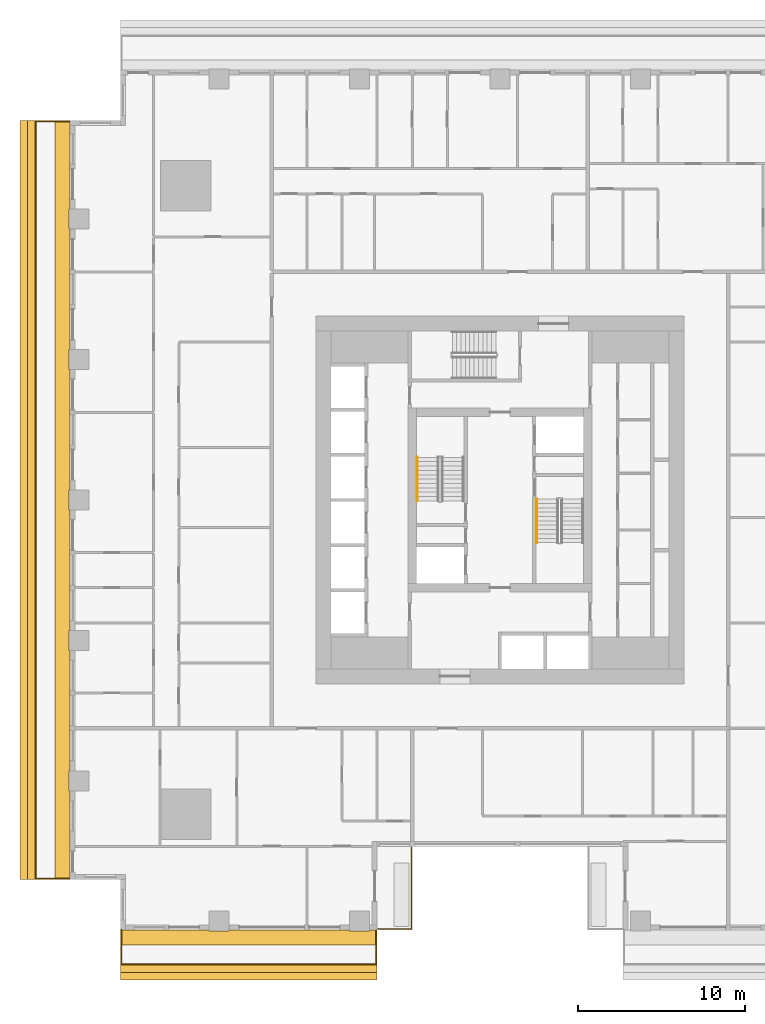
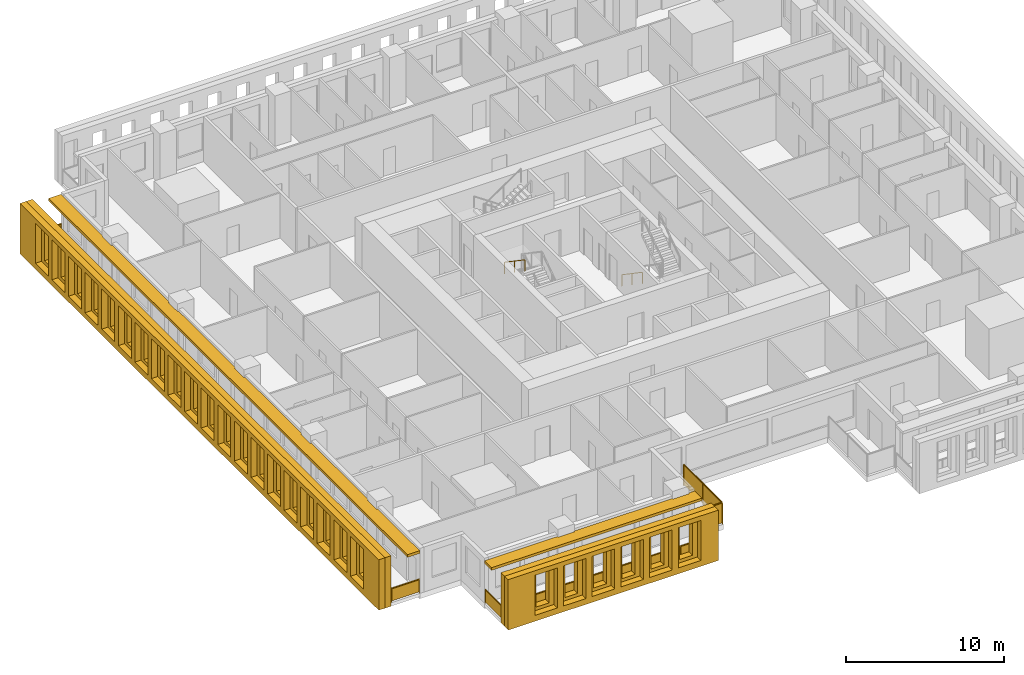
# One storey, part 11 of 15: 6 shading devices, 5 railings.
"""IFC4 building model written with IfcOpenShell, lengths in metres."""

from ifc_helpers import new_model, si_unit, direction, frame, origin, origin_2d, place, context, subcontext, project, spatial, polyline, rectangle, outline, extrude, material, layer, layer_set, type_object, element, save


model = new_model("IFC4")

# Units and contexts
model_context = context("Model", 3, precision=1e-05, world=origin(), true_north=direction((0.0, 1.0)))
body_context = subcontext(model_context, "Body", "Model", "MODEL_VIEW")
ifc_project = project(units=[si_unit("LENGTHUNIT", "METRE"), si_unit("AREAUNIT", "SQUARE_METRE"), si_unit("VOLUMEUNIT", "CUBIC_METRE"), si_unit("PLANEANGLEUNIT", "RADIAN"), si_unit("MASSUNIT", "GRAM", prefix="KILO")], contexts=[model_context])

# Site, building, storey
site_placement = place(None, origin())
site = spatial("IfcSite", under=ifc_project, at=site_placement, CompositionType="ELEMENT")
building_placement = place(site_placement, origin())
building = spatial("IfcBuilding", under=site, at=building_placement, Name="Khepri Terraces", CompositionType="ELEMENT")
storey_placement = place(building_placement, frame((0.0, 0.0, 42.60009765625)))
storey = spatial("IfcBuildingStorey", under=building, at=storey_placement, Name="L09", CompositionType="ELEMENT", Elevation=42.60009765625)

# Railings
ifc_material_1 = material(Name="Stainless steel grade 316", Category="steel")
railing_type_1 = type_object("IfcRailingType", Name="GRD-BAL-1100", PredefinedType="GUARDRAIL", material=ifc_material_1)
railing_1_placement = place(storey_placement, frame((-22.669921875, -25.719970703125, 0.0)))
element("IfcRailing", 1, at=railing_1_placement, inside=storey, type_object=railing_type_1, Name="Balcony guard L09 S", PredefinedType="GUARDRAIL", context=body_context, shape_type="SweptSolid", body=[
    extrude(rectangle(XDim=0.050048828125, YDim=0.06005859375, at=origin_2d()), frame((0.0, 0.0, 1.070068359375), z_axis=(0.0, -1.0, 0.0), x_axis=(1.0, 0.0, 0.0)), (0.0, 0.0, 1.0), 2.050048828125),
    extrude(rectangle(XDim=2.0, YDim=0.011962890625, at=origin_2d()), frame((0.0, -1.02490234375, 0.10009765625), z_axis=(0.0, 0.0, 1.0), x_axis=(0.0, -1.0, 0.0)), (0.0, 0.0, 1.0), 0.93994140625),
    extrude(rectangle(XDim=0.050048828125, YDim=0.06005859375, at=origin_2d()), frame((0.0, -2.050048828125, 1.070068359375), z_axis=(1.0, 0.0, 0.0), x_axis=(0.0, 1.0, 0.0)), (0.0, 0.0, 1.0), 15.27001953125),
    extrude(rectangle(XDim=2.13134765625, YDim=0.011962890625, at=origin_2d()), frame((1.0908203125, -2.050048828125, 0.10009765625), z_axis=(0.0, 0.0, 1.0), x_axis=(1.0, 0.0, 0.0)), (0.0, 0.0, 1.0), 0.93994140625),
    extrude(rectangle(XDim=2.13134765625, YDim=0.011962890625, at=origin_2d()), frame((3.272216796875, -2.050048828125, 0.10009765625), z_axis=(0.0, 0.0, 1.0), x_axis=(1.0, 0.0, 0.0)), (0.0, 0.0, 1.0), 0.93994140625),
    extrude(rectangle(XDim=2.13134765625, YDim=0.011962890625, at=origin_2d()), frame((5.45361328125, -2.050048828125, 0.10009765625), z_axis=(0.0, 0.0, 1.0), x_axis=(1.0, 0.0, 0.0)), (0.0, 0.0, 1.0), 0.93994140625),
    extrude(rectangle(XDim=2.13134765625, YDim=0.011962890625, at=origin_2d()), frame((7.635009765625, -2.050048828125, 0.10009765625), z_axis=(0.0, 0.0, 1.0), x_axis=(1.0, 0.0, 0.0)), (0.0, 0.0, 1.0), 0.93994140625),
    extrude(rectangle(XDim=2.13134765625, YDim=0.011962890625, at=origin_2d()), frame((9.81640625, -2.050048828125, 0.10009765625), z_axis=(0.0, 0.0, 1.0), x_axis=(1.0, 0.0, 0.0)), (0.0, 0.0, 1.0), 0.93994140625),
    extrude(rectangle(XDim=2.13134765625, YDim=0.011962890625, at=origin_2d()), frame((11.997802734375, -2.050048828125, 0.10009765625), z_axis=(0.0, 0.0, 1.0), x_axis=(1.0, 0.0, 0.0)), (0.0, 0.0, 1.0), 0.93994140625),
    extrude(rectangle(XDim=2.13134765625, YDim=0.011962890625, at=origin_2d()), frame((14.17919921875, -2.050048828125, 0.10009765625), z_axis=(0.0, 0.0, 1.0), x_axis=(1.0, 0.0, 0.0)), (0.0, 0.0, 1.0), 0.93994140625),
    extrude(rectangle(XDim=0.050048828125, YDim=0.06005859375, at=origin_2d()), frame((15.27001953125, -2.050048828125, 1.070068359375), z_axis=(0.0, 1.0, 0.0), x_axis=(-1.0, 0.0, 0.0)), (0.0, 0.0, 1.0), 2.050048828125),
    extrude(rectangle(XDim=2.0, YDim=0.011962890625, at=origin_2d()), frame((15.27001953125, -1.02490234375, 0.10009765625), z_axis=(0.0, 0.0, 1.0), x_axis=(0.0, 1.0, 0.0)), (0.0, 0.0, 1.0), 0.93994140625),
    extrude(rectangle(XDim=0.050048828125, YDim=0.050048828125, at=origin_2d()), origin(), (0.0, 0.0, 1.0), 1.0400390625),
    extrude(rectangle(XDim=0.050048828125, YDim=0.050048828125, at=origin_2d()), frame((0.0, -2.050048828125, 0.0)), (0.0, 0.0, 1.0), 1.0400390625),
    extrude(rectangle(XDim=0.050048828125, YDim=0.050048828125, at=origin_2d()), frame((2.181396484375, -2.050048828125, 0.0)), (0.0, 0.0, 1.0), 1.0400390625),
    extrude(rectangle(XDim=0.050048828125, YDim=0.050048828125, at=origin_2d()), frame((4.36279296875, -2.050048828125, 0.0)), (0.0, 0.0, 1.0), 1.0400390625),
    extrude(rectangle(XDim=0.050048828125, YDim=0.050048828125, at=origin_2d()), frame((6.544189453125, -2.050048828125, 0.0)), (0.0, 0.0, 1.0), 1.0400390625),
    extrude(rectangle(XDim=0.050048828125, YDim=0.050048828125, at=origin_2d()), frame((8.725830078125, -2.050048828125, 0.0)), (0.0, 0.0, 1.0), 1.0400390625),
    extrude(rectangle(XDim=0.050048828125, YDim=0.050048828125, at=origin_2d()), frame((10.9072265625, -2.050048828125, 0.0)), (0.0, 0.0, 1.0), 1.0400390625),
    extrude(rectangle(XDim=0.050048828125, YDim=0.050048828125, at=origin_2d()), frame((13.088623046875, -2.050048828125, 0.0)), (0.0, 0.0, 1.0), 1.0400390625),
    extrude(rectangle(XDim=0.050048828125, YDim=0.050048828125, at=origin_2d()), frame((15.27001953125, -2.050048828125, 0.0)), (0.0, 0.0, 1.0), 1.0400390625),
    extrude(rectangle(XDim=0.050048828125, YDim=0.050048828125, at=origin_2d()), frame((15.27001953125, 0.0, 0.0)), (0.0, 0.0, 1.0), 1.0400390625),
])
railing_2_placement = place(storey_placement, frame((-25.719970703125, 22.669921875, 0.0)))
element("IfcRailing", 2, at=railing_2_placement, inside=storey, type_object=railing_type_1, Name="Balcony guard L09 W", PredefinedType="GUARDRAIL", context=body_context, shape_type="SweptSolid", body=[
    extrude(rectangle(XDim=0.050048828125, YDim=0.06005859375, at=origin_2d()), frame((0.0, 0.0, 1.070068359375), z_axis=(-1.0, 0.0, 0.0), x_axis=(0.0, -1.0, 0.0)), (0.0, 0.0, 1.0), 2.050048828125),
    extrude(rectangle(XDim=2.0, YDim=0.011962890625, at=origin_2d()), frame((-1.02490234375, 0.0, 0.10009765625), z_axis=(0.0, 0.0, 1.0), x_axis=(-1.0, 0.0, 0.0)), (0.0, 0.0, 1.0), 0.93994140625),
    extrude(rectangle(XDim=0.050048828125, YDim=0.06005859375, at=origin_2d()), frame((-2.050048828125, 0.0, 1.070068359375), z_axis=(0.0, -1.0, 0.0), x_axis=(1.0, 0.0, 0.0)), (0.0, 0.0, 1.0), 45.33984375),
    extrude(rectangle(XDim=2.336181640625, YDim=0.011962890625, at=origin_2d()), frame((-2.050048828125, -1.193115234375, 0.10009765625), z_axis=(0.0, 0.0, 1.0), x_axis=(0.0, -1.0, 0.0)), (0.0, 0.0, 1.0), 0.93994140625),
    extrude(rectangle(XDim=2.336181640625, YDim=0.011962890625, at=origin_2d()), frame((-2.050048828125, -3.579345703125, 0.10009765625), z_axis=(0.0, 0.0, 1.0), x_axis=(0.0, -1.0, 0.0)), (0.0, 0.0, 1.0), 0.93994140625),
    extrude(rectangle(XDim=2.336181640625, YDim=0.011962890625, at=origin_2d()), frame((-2.050048828125, -5.9658203125, 0.10009765625), z_axis=(0.0, 0.0, 1.0), x_axis=(0.0, -1.0, 0.0)), (0.0, 0.0, 1.0), 0.93994140625),
    extrude(rectangle(XDim=2.336181640625, YDim=0.011962890625, at=origin_2d()), frame((-2.050048828125, -8.35205078125, 0.10009765625), z_axis=(0.0, 0.0, 1.0), x_axis=(0.0, -1.0, 0.0)), (0.0, 0.0, 1.0), 0.93994140625),
    extrude(rectangle(XDim=2.336181640625, YDim=0.011962890625, at=origin_2d()), frame((-2.050048828125, -10.73828125, 0.10009765625), z_axis=(0.0, 0.0, 1.0), x_axis=(0.0, -1.0, 0.0)), (0.0, 0.0, 1.0), 0.93994140625),
    extrude(rectangle(XDim=2.336181640625, YDim=0.011962890625, at=origin_2d()), frame((-2.050048828125, -13.124755859375, 0.10009765625), z_axis=(0.0, 0.0, 1.0), x_axis=(0.0, -1.0, 0.0)), (0.0, 0.0, 1.0), 0.93994140625),
    extrude(rectangle(XDim=2.336181640625, YDim=0.011962890625, at=origin_2d()), frame((-2.050048828125, -15.510986328125, 0.10009765625), z_axis=(0.0, 0.0, 1.0), x_axis=(0.0, -1.0, 0.0)), (0.0, 0.0, 1.0), 0.93994140625),
    extrude(rectangle(XDim=2.336181640625, YDim=0.011962890625, at=origin_2d()), frame((-2.050048828125, -17.897216796875, 0.10009765625), z_axis=(0.0, 0.0, 1.0), x_axis=(0.0, -1.0, 0.0)), (0.0, 0.0, 1.0), 0.93994140625),
    extrude(rectangle(XDim=2.336181640625, YDim=0.011962890625, at=origin_2d()), frame((-2.050048828125, -20.28369140625, 0.10009765625), z_axis=(0.0, 0.0, 1.0), x_axis=(0.0, -1.0, 0.0)), (0.0, 0.0, 1.0), 0.93994140625),
    extrude(rectangle(XDim=2.336181640625, YDim=0.011962890625, at=origin_2d()), frame((-2.050048828125, -22.669921875, 0.10009765625), z_axis=(0.0, 0.0, 1.0), x_axis=(0.0, -1.0, 0.0)), (0.0, 0.0, 1.0), 0.93994140625),
    extrude(rectangle(XDim=2.336181640625, YDim=0.011962890625, at=origin_2d()), frame((-2.050048828125, -25.05615234375, 0.10009765625), z_axis=(0.0, 0.0, 1.0), x_axis=(0.0, -1.0, 0.0)), (0.0, 0.0, 1.0), 0.93994140625),
    extrude(rectangle(XDim=2.336181640625, YDim=0.011962890625, at=origin_2d()), frame((-2.050048828125, -27.442626953125, 0.10009765625), z_axis=(0.0, 0.0, 1.0), x_axis=(0.0, -1.0, 0.0)), (0.0, 0.0, 1.0), 0.93994140625),
    extrude(rectangle(XDim=2.336181640625, YDim=0.011962890625, at=origin_2d()), frame((-2.050048828125, -29.828857421875, 0.10009765625), z_axis=(0.0, 0.0, 1.0), x_axis=(0.0, -1.0, 0.0)), (0.0, 0.0, 1.0), 0.93994140625),
    extrude(rectangle(XDim=2.336181640625, YDim=0.011962890625, at=origin_2d()), frame((-2.050048828125, -32.215087890625, 0.10009765625), z_axis=(0.0, 0.0, 1.0), x_axis=(0.0, -1.0, 0.0)), (0.0, 0.0, 1.0), 0.93994140625),
    extrude(rectangle(XDim=2.336181640625, YDim=0.011962890625, at=origin_2d()), frame((-2.050048828125, -34.6015625, 0.10009765625), z_axis=(0.0, 0.0, 1.0), x_axis=(0.0, -1.0, 0.0)), (0.0, 0.0, 1.0), 0.93994140625),
    extrude(rectangle(XDim=2.336181640625, YDim=0.011962890625, at=origin_2d()), frame((-2.050048828125, -36.98779296875, 0.10009765625), z_axis=(0.0, 0.0, 1.0), x_axis=(0.0, -1.0, 0.0)), (0.0, 0.0, 1.0), 0.93994140625),
    extrude(rectangle(XDim=2.336181640625, YDim=0.011962890625, at=origin_2d()), frame((-2.050048828125, -39.3740234375, 0.10009765625), z_axis=(0.0, 0.0, 1.0), x_axis=(0.0, -1.0, 0.0)), (0.0, 0.0, 1.0), 0.93994140625),
    extrude(rectangle(XDim=2.336181640625, YDim=0.011962890625, at=origin_2d()), frame((-2.050048828125, -41.760498046875, 0.10009765625), z_axis=(0.0, 0.0, 1.0), x_axis=(0.0, -1.0, 0.0)), (0.0, 0.0, 1.0), 0.93994140625),
    extrude(rectangle(XDim=2.336181640625, YDim=0.011962890625, at=origin_2d()), frame((-2.050048828125, -44.146728515625, 0.10009765625), z_axis=(0.0, 0.0, 1.0), x_axis=(0.0, -1.0, 0.0)), (0.0, 0.0, 1.0), 0.93994140625),
    extrude(rectangle(XDim=0.050048828125, YDim=0.06005859375, at=origin_2d()), frame((-2.050048828125, -45.33984375, 1.070068359375), z_axis=(1.0, 0.0, 0.0), x_axis=(0.0, 1.0, 0.0)), (0.0, 0.0, 1.0), 2.050048828125),
    extrude(rectangle(XDim=2.0, YDim=0.011962890625, at=origin_2d()), frame((-1.02490234375, -45.33984375, 0.10009765625), z_axis=(0.0, 0.0, 1.0), x_axis=(1.0, 0.0, 0.0)), (0.0, 0.0, 1.0), 0.93994140625),
    extrude(rectangle(XDim=0.050048828125, YDim=0.050048828125, at=origin_2d()), origin(), (0.0, 0.0, 1.0), 1.0400390625),
    extrude(rectangle(XDim=0.050048828125, YDim=0.050048828125, at=origin_2d()), frame((-2.050048828125, 0.0, 0.0)), (0.0, 0.0, 1.0), 1.0400390625),
    extrude(rectangle(XDim=0.050048828125, YDim=0.050048828125, at=origin_2d()), frame((-2.050048828125, -2.38623046875, 0.0)), (0.0, 0.0, 1.0), 1.0400390625),
    extrude(rectangle(XDim=0.050048828125, YDim=0.050048828125, at=origin_2d()), frame((-2.050048828125, -4.772705078125, 0.0)), (0.0, 0.0, 1.0), 1.0400390625),
    extrude(rectangle(XDim=0.050048828125, YDim=0.050048828125, at=origin_2d()), frame((-2.050048828125, -7.158935546875, 0.0)), (0.0, 0.0, 1.0), 1.0400390625),
    extrude(rectangle(XDim=0.050048828125, YDim=0.050048828125, at=origin_2d()), frame((-2.050048828125, -9.545166015625, 0.0)), (0.0, 0.0, 1.0), 1.0400390625),
    extrude(rectangle(XDim=0.050048828125, YDim=0.050048828125, at=origin_2d()), frame((-2.050048828125, -11.931640625, 0.0)), (0.0, 0.0, 1.0), 1.0400390625),
    extrude(rectangle(XDim=0.050048828125, YDim=0.050048828125, at=origin_2d()), frame((-2.050048828125, -14.31787109375, 0.0)), (0.0, 0.0, 1.0), 1.0400390625),
    extrude(rectangle(XDim=0.050048828125, YDim=0.050048828125, at=origin_2d()), frame((-2.050048828125, -16.7041015625, 0.0)), (0.0, 0.0, 1.0), 1.0400390625),
    extrude(rectangle(XDim=0.050048828125, YDim=0.050048828125, at=origin_2d()), frame((-2.050048828125, -19.090576171875, 0.0)), (0.0, 0.0, 1.0), 1.0400390625),
    extrude(rectangle(XDim=0.050048828125, YDim=0.050048828125, at=origin_2d()), frame((-2.050048828125, -21.476806640625, 0.0)), (0.0, 0.0, 1.0), 1.0400390625),
    extrude(rectangle(XDim=0.050048828125, YDim=0.050048828125, at=origin_2d()), frame((-2.050048828125, -23.863037109375, 0.0)), (0.0, 0.0, 1.0), 1.0400390625),
    extrude(rectangle(XDim=0.050048828125, YDim=0.050048828125, at=origin_2d()), frame((-2.050048828125, -26.249267578125, 0.0)), (0.0, 0.0, 1.0), 1.0400390625),
    extrude(rectangle(XDim=0.050048828125, YDim=0.050048828125, at=origin_2d()), frame((-2.050048828125, -28.6357421875, 0.0)), (0.0, 0.0, 1.0), 1.0400390625),
    extrude(rectangle(XDim=0.050048828125, YDim=0.050048828125, at=origin_2d()), frame((-2.050048828125, -31.02197265625, 0.0)), (0.0, 0.0, 1.0), 1.0400390625),
    extrude(rectangle(XDim=0.050048828125, YDim=0.050048828125, at=origin_2d()), frame((-2.050048828125, -33.408203125, 0.0)), (0.0, 0.0, 1.0), 1.0400390625),
    extrude(rectangle(XDim=0.050048828125, YDim=0.050048828125, at=origin_2d()), frame((-2.050048828125, -35.794677734375, 0.0)), (0.0, 0.0, 1.0), 1.0400390625),
    extrude(rectangle(XDim=0.050048828125, YDim=0.050048828125, at=origin_2d()), frame((-2.050048828125, -38.180908203125, 0.0)), (0.0, 0.0, 1.0), 1.0400390625),
    extrude(rectangle(XDim=0.050048828125, YDim=0.050048828125, at=origin_2d()), frame((-2.050048828125, -40.567138671875, 0.0)), (0.0, 0.0, 1.0), 1.0400390625),
    extrude(rectangle(XDim=0.050048828125, YDim=0.050048828125, at=origin_2d()), frame((-2.050048828125, -42.95361328125, 0.0)), (0.0, 0.0, 1.0), 1.0400390625),
    extrude(rectangle(XDim=0.050048828125, YDim=0.050048828125, at=origin_2d()), frame((-2.050048828125, -45.33984375, 0.0)), (0.0, 0.0, 1.0), 1.0400390625),
    extrude(rectangle(XDim=0.050048828125, YDim=0.050048828125, at=origin_2d()), frame((0.0, -45.33984375, 0.0)), (0.0, 0.0, 1.0), 1.0400390625),
])
railing_type_2 = type_object("IfcRailingType", Name="GRD-TERR-1700", PredefinedType="GUARDRAIL", material=ifc_material_1)
railing_3_placement = place(storey_placement, frame((-5.300048828125, -20.7900390625, 0.0)))
element("IfcRailing", 3, at=railing_3_placement, inside=storey, type_object=railing_type_2, Name="Terrace guard L09", PredefinedType="GUARDRAIL", context=body_context, shape_type="SweptSolid", body=[
    extrude(rectangle(XDim=0.050048828125, YDim=0.06005859375, at=origin_2d()), frame((0.0, 0.0, 1.669921875), z_axis=(0.0, -1.0, 0.0), x_axis=(1.0, 0.0, 0.0)), (0.0, 0.0, 1.0), 4.8798828125),
    extrude(rectangle(XDim=2.389892578125, YDim=0.011962890625, at=origin_2d()), frame((0.0, -1.219970703125, 0.10009765625), z_axis=(0.0, 0.0, 1.0), x_axis=(0.0, -1.0, 0.0)), (0.0, 0.0, 1.0), 1.539794921875),
    extrude(rectangle(XDim=2.389892578125, YDim=0.011962890625, at=origin_2d()), frame((0.0, -3.659912109375, 0.10009765625), z_axis=(0.0, 0.0, 1.0), x_axis=(0.0, -1.0, 0.0)), (0.0, 0.0, 1.0), 1.539794921875),
    extrude(rectangle(XDim=0.050048828125, YDim=0.06005859375, at=origin_2d()), frame((0.0, -4.8798828125, 1.669921875), z_axis=(-1.0, 0.0, 0.0), x_axis=(0.0, -1.0, 0.0)), (0.0, 0.0, 1.0), 1.97998046875),
    extrude(rectangle(XDim=1.929931640625, YDim=0.011962890625, at=origin_2d()), frame((-0.989990234375, -4.8798828125, 0.10009765625), z_axis=(0.0, 0.0, 1.0), x_axis=(-1.0, 0.0, 0.0)), (0.0, 0.0, 1.0), 1.539794921875),
    extrude(rectangle(XDim=0.050048828125, YDim=0.050048828125, at=origin_2d()), origin(), (0.0, 0.0, 1.0), 1.639892578125),
    extrude(rectangle(XDim=0.050048828125, YDim=0.050048828125, at=origin_2d()), frame((0.0, -2.43994140625, 0.0)), (0.0, 0.0, 1.0), 1.639892578125),
    extrude(rectangle(XDim=0.050048828125, YDim=0.050048828125, at=origin_2d()), frame((0.0, -4.8798828125, 0.0)), (0.0, 0.0, 1.0), 1.639892578125),
    extrude(rectangle(XDim=0.050048828125, YDim=0.050048828125, at=origin_2d()), frame((-1.97998046875, -4.8798828125, 0.0)), (0.0, 0.0, 1.0), 1.639892578125),
])
ifc_material_2 = material(Name="Stainless steel 316", Category="steel")
railing_type_3 = type_object("IfcRailingType", Name="RL-CORE-HANDRAIL", PredefinedType="HANDRAIL", material=ifc_material_2)
for number, where, name in (
    (4, (-4.949951171875, 2.550048828125, 2.127197265625), "L09 ST-1 stair handrail 2"),
    (5, (2.199951171875, 0.050048828125, 0.17724609375), "L09 ST-2 stair handrail 1"),
):
    element("IfcRailing", number, at=place(storey_placement, frame(where)), inside=storey, type_object=railing_type_3, Name=name, PredefinedType="HANDRAIL", context=body_context, shape_type="SweptSolid", body=[
        extrude(rectangle(XDim=0.050048828125, YDim=0.050048828125, at=origin_2d()), frame((0.0, 0.0, 0.875), z_axis=(0.0, -0.826240473404, 0.563317565952), x_axis=(1.0, 0.0, 0.0)), (0.0, 0.0, 1.0), 3.14697265625),
        extrude(rectangle(XDim=0.050048828125, YDim=0.050048828125, at=origin_2d()), origin(), (0.0, 0.0, 1.0), 0.849853515625),
        extrude(rectangle(XDim=0.050048828125, YDim=0.050048828125, at=origin_2d()), frame((0.0, -1.300048828125, 0.88623046875)), (0.0, 0.0, 1.0), 0.849853515625),
        extrude(rectangle(XDim=0.050048828125, YDim=0.050048828125, at=origin_2d()), frame((0.0, -2.60009765625, 1.772705078125)), (0.0, 0.0, 1.0), 0.849853515625),
    ])

# Shading devices
ifc_material_3 = material(Name="Precast concrete C50/60 warm stone", Category="masonry")
shading_device_type_1 = type_object("IfcShadingDeviceType", Name="SCR-CELL-INNER-450", PredefinedType="USERDEFINED", material=ifc_material_3)
shading_device_1_placement = place(storey_placement, frame((-22.719970703125, -27.820068359375, -0.25), z_axis=(0.0, -1.0, 0.0), x_axis=(1.0, 0.0, 0.0)))
element("IfcShadingDevice", 6, at=shading_device_1_placement, inside=storey, type_object=shading_device_type_1, Name="Cell screen L09 S in", ObjectType="SCREEN", PredefinedType="USERDEFINED", context=body_context, shape_type="SweptSolid", body=[
    extrude(outline(polyline([(0.0, 0.0), (15.3701171875, 0.0), (15.3701171875, 3.89990234375), (0.0, 3.89990234375), (0.0, 0.0)]), holes=[polyline([(0.197509765625, 0.699951171875), (1.142578125, 0.699951171875), (1.142578125, 3.300048828125), (0.197509765625, 3.300048828125), (0.197509765625, 0.699951171875)]), polyline([(2.297607421875, 0.699951171875), (3.242431640625, 0.699951171875), (3.242431640625, 3.300048828125), (2.297607421875, 3.300048828125), (2.297607421875, 0.699951171875)]), polyline([(4.3974609375, 0.699951171875), (5.342529296875, 0.699951171875), (5.342529296875, 3.300048828125), (4.3974609375, 3.300048828125), (4.3974609375, 0.699951171875)]), polyline([(6.49755859375, 0.699951171875), (7.4423828125, 0.699951171875), (7.4423828125, 3.300048828125), (6.49755859375, 3.300048828125), (6.49755859375, 0.699951171875)]), polyline([(8.597412109375, 0.699951171875), (9.54248046875, 0.699951171875), (9.54248046875, 3.300048828125), (8.597412109375, 3.300048828125), (8.597412109375, 0.699951171875)]), polyline([(10.697509765625, 0.699951171875), (11.642578125, 0.699951171875), (11.642578125, 3.300048828125), (10.697509765625, 3.300048828125), (10.697509765625, 0.699951171875)]), polyline([(12.797607421875, 0.699951171875), (13.742431640625, 0.699951171875), (13.742431640625, 3.300048828125), (12.797607421875, 3.300048828125), (12.797607421875, 0.699951171875)])]), origin(), (0.0, 0.0, 1.0), 0.449951171875),
])
shading_device_2_placement = place(storey_placement, frame((-27.820068359375, 22.719970703125, -0.25), z_axis=(-1.0, 0.0, 0.0), x_axis=(0.0, -1.0, 0.0)))
element("IfcShadingDevice", 7, at=shading_device_2_placement, inside=storey, type_object=shading_device_type_1, Name="Cell screen L09 W in", ObjectType="SCREEN", PredefinedType="USERDEFINED", context=body_context, shape_type="SweptSolid", body=[
    extrude(outline(polyline([(0.0, 0.0), (45.43994140625, 0.0), (45.43994140625, 3.89990234375), (0.0, 3.89990234375), (0.0, 0.0)]), holes=[polyline([(0.197509765625, 0.699951171875), (1.142578125, 0.699951171875), (1.142578125, 3.300048828125), (0.197509765625, 3.300048828125), (0.197509765625, 0.699951171875)]), polyline([(2.297607421875, 0.699951171875), (3.242431640625, 0.699951171875), (3.242431640625, 3.300048828125), (2.297607421875, 3.300048828125), (2.297607421875, 0.699951171875)]), polyline([(4.3974609375, 0.699951171875), (5.342529296875, 0.699951171875), (5.342529296875, 3.300048828125), (4.3974609375, 3.300048828125), (4.3974609375, 0.699951171875)]), polyline([(6.49755859375, 0.699951171875), (7.4423828125, 0.699951171875), (7.4423828125, 3.300048828125), (6.49755859375, 3.300048828125), (6.49755859375, 0.699951171875)]), polyline([(8.597412109375, 0.699951171875), (9.54248046875, 0.699951171875), (9.54248046875, 3.300048828125), (8.597412109375, 3.300048828125), (8.597412109375, 0.699951171875)]), polyline([(10.697509765625, 0.699951171875), (11.642578125, 0.699951171875), (11.642578125, 3.300048828125), (10.697509765625, 3.300048828125), (10.697509765625, 0.699951171875)]), polyline([(12.797607421875, 0.699951171875), (13.742431640625, 0.699951171875), (13.742431640625, 3.300048828125), (12.797607421875, 3.300048828125), (12.797607421875, 0.699951171875)]), polyline([(14.8974609375, 0.699951171875), (15.842529296875, 0.699951171875), (15.842529296875, 3.300048828125), (14.8974609375, 3.300048828125), (14.8974609375, 0.699951171875)]), polyline([(16.99755859375, 0.699951171875), (17.9423828125, 0.699951171875), (17.9423828125, 3.300048828125), (16.99755859375, 3.300048828125), (16.99755859375, 0.699951171875)]), polyline([(19.097412109375, 0.699951171875), (20.04248046875, 0.699951171875), (20.04248046875, 3.300048828125), (19.097412109375, 3.300048828125), (19.097412109375, 0.699951171875)]), polyline([(21.197509765625, 0.699951171875), (22.142578125, 0.699951171875), (22.142578125, 3.300048828125), (21.197509765625, 3.300048828125), (21.197509765625, 0.699951171875)]), polyline([(23.297607421875, 0.699951171875), (24.242431640625, 0.699951171875), (24.242431640625, 3.300048828125), (23.297607421875, 3.300048828125), (23.297607421875, 0.699951171875)]), polyline([(25.3974609375, 0.699951171875), (26.342529296875, 0.699951171875), (26.342529296875, 3.300048828125), (25.3974609375, 3.300048828125), (25.3974609375, 0.699951171875)]), polyline([(27.49755859375, 0.699951171875), (28.4423828125, 0.699951171875), (28.4423828125, 3.300048828125), (27.49755859375, 3.300048828125), (27.49755859375, 0.699951171875)]), polyline([(29.597412109375, 0.699951171875), (30.54248046875, 0.699951171875), (30.54248046875, 3.300048828125), (29.597412109375, 3.300048828125), (29.597412109375, 0.699951171875)]), polyline([(31.697509765625, 0.699951171875), (32.642578125, 0.699951171875), (32.642578125, 3.300048828125), (31.697509765625, 3.300048828125), (31.697509765625, 0.699951171875)]), polyline([(33.797607421875, 0.699951171875), (34.742431640625, 0.699951171875), (34.742431640625, 3.300048828125), (33.797607421875, 3.300048828125), (33.797607421875, 0.699951171875)]), polyline([(35.8974609375, 0.699951171875), (36.842529296875, 0.699951171875), (36.842529296875, 3.300048828125), (35.8974609375, 3.300048828125), (35.8974609375, 0.699951171875)]), polyline([(37.99755859375, 0.699951171875), (38.9423828125, 0.699951171875), (38.9423828125, 3.300048828125), (37.99755859375, 3.300048828125), (37.99755859375, 0.699951171875)]), polyline([(40.097412109375, 0.699951171875), (41.04248046875, 0.699951171875), (41.04248046875, 3.300048828125), (40.097412109375, 3.300048828125), (40.097412109375, 0.699951171875)]), polyline([(42.197509765625, 0.699951171875), (43.142578125, 0.699951171875), (43.142578125, 3.300048828125), (42.197509765625, 3.300048828125), (42.197509765625, 0.699951171875)]), polyline([(44.297607421875, 0.699951171875), (45.242431640625, 0.699951171875), (45.242431640625, 3.300048828125), (44.297607421875, 3.300048828125), (44.297607421875, 0.699951171875)])]), origin(), (0.0, 0.0, 1.0), 0.449951171875),
])
shading_device_type_2 = type_object("IfcShadingDeviceType", Name="SCR-CELL-OUTER-450", PredefinedType="USERDEFINED", material=ifc_material_3)
shading_device_3_placement = place(storey_placement, frame((-22.719970703125, -28.27001953125, -0.25), z_axis=(0.0, -1.0, 0.0), x_axis=(1.0, 0.0, 0.0)))
element("IfcShadingDevice", 8, at=shading_device_3_placement, inside=storey, type_object=shading_device_type_2, Name="Cell screen L09 S out", ObjectType="SCREEN", PredefinedType="USERDEFINED", context=body_context, shape_type="SweptSolid", body=[
    extrude(outline(polyline([(0.0, 0.0), (15.3701171875, 0.0), (15.3701171875, 3.89990234375), (0.0, 3.89990234375), (0.0, 0.0)]), holes=[polyline([(1.947509765625, 0.449951171875), (3.592529296875, 0.449951171875), (3.592529296875, 3.550048828125), (1.947509765625, 3.550048828125), (1.947509765625, 0.449951171875)]), polyline([(4.047607421875, 0.449951171875), (5.6923828125, 0.449951171875), (5.6923828125, 3.550048828125), (4.047607421875, 3.550048828125), (4.047607421875, 0.449951171875)]), polyline([(6.1474609375, 0.449951171875), (7.79248046875, 0.449951171875), (7.79248046875, 3.550048828125), (6.1474609375, 3.550048828125), (6.1474609375, 0.449951171875)]), polyline([(8.24755859375, 0.449951171875), (9.892578125, 0.449951171875), (9.892578125, 3.550048828125), (8.24755859375, 3.550048828125), (8.24755859375, 0.449951171875)]), polyline([(10.347412109375, 0.449951171875), (11.992431640625, 0.449951171875), (11.992431640625, 3.550048828125), (10.347412109375, 3.550048828125), (10.347412109375, 0.449951171875)]), polyline([(12.447509765625, 0.449951171875), (14.092529296875, 0.449951171875), (14.092529296875, 3.550048828125), (12.447509765625, 3.550048828125), (12.447509765625, 0.449951171875)])]), origin(), (0.0, 0.0, 1.0), 0.449951171875),
])
shading_device_4_placement = place(storey_placement, frame((-28.27001953125, 22.719970703125, -0.25), z_axis=(-1.0, 0.0, 0.0), x_axis=(0.0, -1.0, 0.0)))
element("IfcShadingDevice", 9, at=shading_device_4_placement, inside=storey, type_object=shading_device_type_2, Name="Cell screen L09 W out", ObjectType="SCREEN", PredefinedType="USERDEFINED", context=body_context, shape_type="SweptSolid", body=[
    extrude(outline(polyline([(0.0, 0.0), (45.43994140625, 0.0), (45.43994140625, 3.89990234375), (0.0, 3.89990234375), (0.0, 0.0)]), holes=[polyline([(1.947509765625, 0.449951171875), (3.592529296875, 0.449951171875), (3.592529296875, 3.550048828125), (1.947509765625, 3.550048828125), (1.947509765625, 0.449951171875)]), polyline([(4.047607421875, 0.449951171875), (5.6923828125, 0.449951171875), (5.6923828125, 3.550048828125), (4.047607421875, 3.550048828125), (4.047607421875, 0.449951171875)]), polyline([(6.1474609375, 0.449951171875), (7.79248046875, 0.449951171875), (7.79248046875, 3.550048828125), (6.1474609375, 3.550048828125), (6.1474609375, 0.449951171875)]), polyline([(8.24755859375, 0.449951171875), (9.892578125, 0.449951171875), (9.892578125, 3.550048828125), (8.24755859375, 3.550048828125), (8.24755859375, 0.449951171875)]), polyline([(10.347412109375, 0.449951171875), (11.992431640625, 0.449951171875), (11.992431640625, 3.550048828125), (10.347412109375, 3.550048828125), (10.347412109375, 0.449951171875)]), polyline([(12.447509765625, 0.449951171875), (14.092529296875, 0.449951171875), (14.092529296875, 3.550048828125), (12.447509765625, 3.550048828125), (12.447509765625, 0.449951171875)]), polyline([(14.547607421875, 0.449951171875), (16.1923828125, 0.449951171875), (16.1923828125, 3.550048828125), (14.547607421875, 3.550048828125), (14.547607421875, 0.449951171875)]), polyline([(16.6474609375, 0.449951171875), (18.29248046875, 0.449951171875), (18.29248046875, 3.550048828125), (16.6474609375, 3.550048828125), (16.6474609375, 0.449951171875)]), polyline([(18.74755859375, 0.449951171875), (20.392578125, 0.449951171875), (20.392578125, 3.550048828125), (18.74755859375, 3.550048828125), (18.74755859375, 0.449951171875)]), polyline([(20.847412109375, 0.449951171875), (22.492431640625, 0.449951171875), (22.492431640625, 3.550048828125), (20.847412109375, 3.550048828125), (20.847412109375, 0.449951171875)]), polyline([(22.947509765625, 0.449951171875), (24.592529296875, 0.449951171875), (24.592529296875, 3.550048828125), (22.947509765625, 3.550048828125), (22.947509765625, 0.449951171875)]), polyline([(25.047607421875, 0.449951171875), (26.6923828125, 0.449951171875), (26.6923828125, 3.550048828125), (25.047607421875, 3.550048828125), (25.047607421875, 0.449951171875)]), polyline([(27.1474609375, 0.449951171875), (28.79248046875, 0.449951171875), (28.79248046875, 3.550048828125), (27.1474609375, 3.550048828125), (27.1474609375, 0.449951171875)]), polyline([(29.24755859375, 0.449951171875), (30.892578125, 0.449951171875), (30.892578125, 3.550048828125), (29.24755859375, 3.550048828125), (29.24755859375, 0.449951171875)]), polyline([(31.347412109375, 0.449951171875), (32.992431640625, 0.449951171875), (32.992431640625, 3.550048828125), (31.347412109375, 3.550048828125), (31.347412109375, 0.449951171875)]), polyline([(33.447509765625, 0.449951171875), (35.092529296875, 0.449951171875), (35.092529296875, 3.550048828125), (33.447509765625, 3.550048828125), (33.447509765625, 0.449951171875)]), polyline([(35.547607421875, 0.449951171875), (37.1923828125, 0.449951171875), (37.1923828125, 3.550048828125), (35.547607421875, 3.550048828125), (35.547607421875, 0.449951171875)]), polyline([(37.6474609375, 0.449951171875), (39.29248046875, 0.449951171875), (39.29248046875, 3.550048828125), (37.6474609375, 3.550048828125), (37.6474609375, 0.449951171875)]), polyline([(39.74755859375, 0.449951171875), (41.392578125, 0.449951171875), (41.392578125, 3.550048828125), (39.74755859375, 3.550048828125), (39.74755859375, 0.449951171875)]), polyline([(41.847412109375, 0.449951171875), (43.492431640625, 0.449951171875), (43.492431640625, 3.550048828125), (41.847412109375, 3.550048828125), (41.847412109375, 0.449951171875)])]), origin(), (0.0, 0.0, 1.0), 0.449951171875),
])
ifc_layer = layer(ifc_material_3, 0.199951171875, Name="Precast concrete C50/60 warm stone", Category="masonry")
ifc_layer_set = layer_set([ifc_layer], Name="Precast concrete C50/60 warm stone")
shading_device_type_3 = type_object("IfcShadingDeviceType", Name="SSH-BAND-STONE-200", PredefinedType="USERDEFINED", material=ifc_layer_set)
shading_device_5_placement = place(storey_placement, frame((0.0, 0.0, 3.099853515625)))
element("IfcShadingDevice", 10, at=shading_device_5_placement, inside=storey, type_object=shading_device_type_3, Name="Sunshade band L09 S", ObjectType="SUNSHADE", PredefinedType="USERDEFINED", context=body_context, shape_type="SweptSolid", body=[
    extrude(outline(polyline([(-17.39990234375, -25.719970703125), (-22.719970703125, -25.719970703125), (-22.719970703125, -26.6201171875), (-7.35009765625, -26.6201171875), (-7.35009765625, -25.719970703125), (-7.800048828125, -25.719970703125), (-7.800048828125, -25.800048828125), (-9.0, -25.800048828125), (-9.0, -25.719970703125), (-16.199951171875, -25.719970703125), (-16.199951171875, -25.800048828125), (-17.39990234375, -25.800048828125), (-17.39990234375, -25.719970703125)])), origin(), (0.0, 0.0, 1.0), 0.199951171875),
])
shading_device_6_placement = place(storey_placement, frame((0.0, 0.0, 3.099853515625)))
element("IfcShadingDevice", 11, at=shading_device_6_placement, inside=storey, type_object=shading_device_type_3, Name="Sunshade band L09 W", ObjectType="SUNSHADE", PredefinedType="USERDEFINED", context=body_context, shape_type="SweptSolid", body=[
    extrude(outline(polyline([(-25.719970703125, 17.39990234375), (-25.719970703125, 22.719970703125), (-26.6201171875, 22.719970703125), (-26.6201171875, -22.719970703125), (-25.719970703125, -22.719970703125), (-25.719970703125, -17.39990234375), (-25.800048828125, -17.39990234375), (-25.800048828125, -16.199951171875), (-25.719970703125, -16.199951171875), (-25.719970703125, -9.0), (-25.800048828125, -9.0), (-25.800048828125, -7.800048828125), (-25.719970703125, -7.800048828125), (-25.719970703125, -0.60009765625), (-25.800048828125, -0.60009765625), (-25.800048828125, 0.60009765625), (-25.719970703125, 0.60009765625), (-25.719970703125, 7.800048828125), (-25.800048828125, 7.800048828125), (-25.800048828125, 9.0), (-25.719970703125, 9.0), (-25.719970703125, 16.199951171875), (-25.800048828125, 16.199951171875), (-25.800048828125, 17.39990234375), (-25.719970703125, 17.39990234375)])), origin(), (0.0, 0.0, 1.0), 0.199951171875),
])

save(model, "model.ifc")
